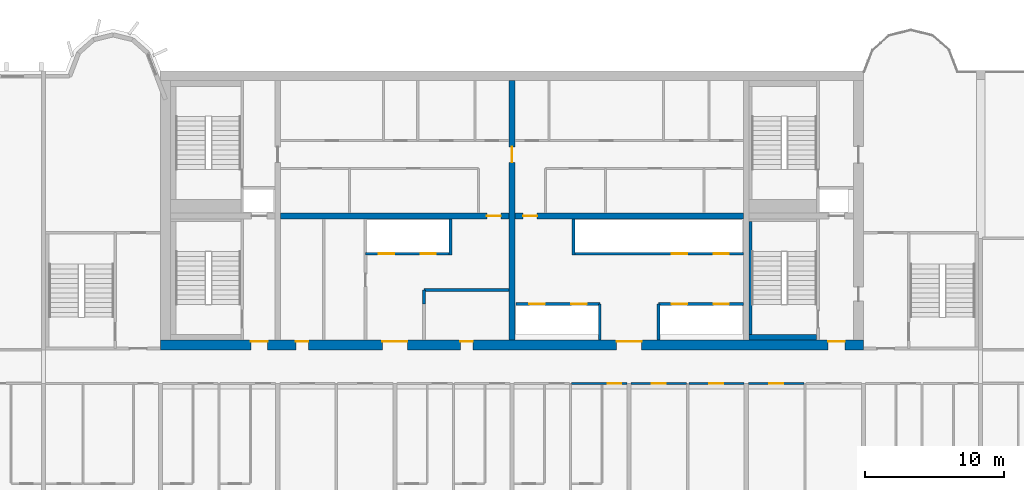
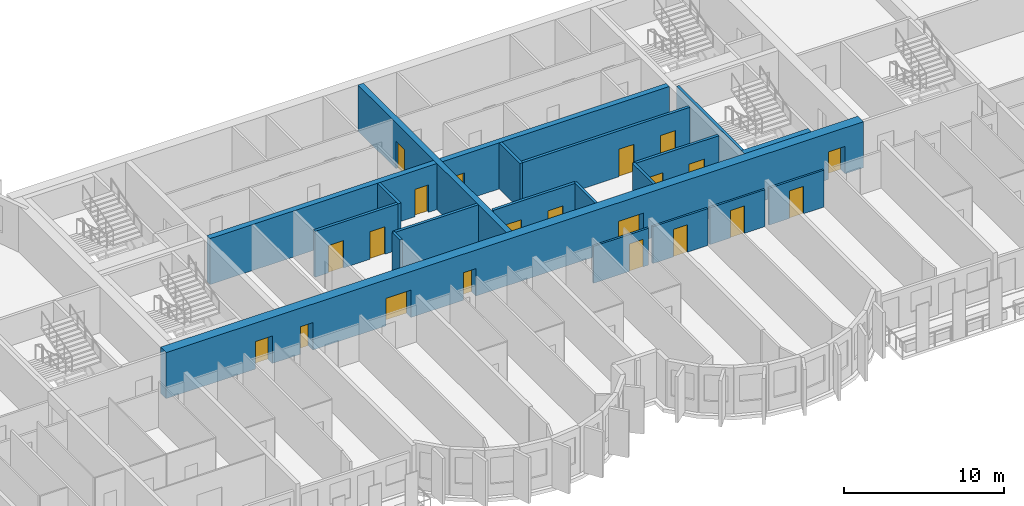
# One storey, part 6 of 13: 21 doors, 20 walls, 21 openings.
"""IFC4 building model written with IfcOpenShell, lengths in metres."""

from ifc_helpers import new_model, si_unit, direction, frame, frame_2d, origin, place, context, subcontext, project, spatial, rectangle, extrude, source, transform, mapped, material, layer, layer_set, type_object, element, fill, save


model = new_model("IFC4")

# Units and contexts
model_context = context("Model", 3, precision=1e-05, world=origin(), true_north=direction((0.0, 1.0)))
body_context = subcontext(model_context, "Body", "Model", "MODEL_VIEW")
ifc_project = project(units=[si_unit("LENGTHUNIT", "METRE"), si_unit("AREAUNIT", "SQUARE_METRE"), si_unit("VOLUMEUNIT", "CUBIC_METRE"), si_unit("PLANEANGLEUNIT", "RADIAN"), si_unit("MASSUNIT", "GRAM", prefix="KILO")], contexts=[model_context])

# Site, building, storey
site_placement = place(None, origin())
site = spatial("IfcSite", under=ifc_project, at=site_placement, CompositionType="ELEMENT")
building_placement = place(site_placement, origin())
building = spatial("IfcBuilding", under=site, at=building_placement, Name="Vanashikhar Sky Hotel", CompositionType="ELEMENT")
storey_placement = place(building_placement, frame((0.0, 0.0, 170.60009765625)))
storey = spatial("IfcBuildingStorey", under=building, at=storey_placement, Name="L41", CompositionType="ELEMENT", Elevation=170.60009765625)

# Wall, opening, door
ifc_material_1 = material(Name="Concrete M60", Category="concrete")
ifc_layer_1 = layer(ifc_material_1, 0.39990234375)
ifc_layer_set_1 = layer_set([ifc_layer_1], Name="RC core inner wall 400 Concrete M60")
wall_type_1 = type_object("IfcWallType", Name="RC core inner wall 400 Concrete M60", PredefinedType="SHEAR", material=ifc_layer_set_1)
shared_shape_1 = source(origin(), body_context, "Body", "SweptSolid", [
    extrude(rectangle(XDim=18.60009765625, YDim=0.39990234375, at=frame_2d((9.300048828125, 0.0))), origin(), (0.0, 0.0, 1.0), 3.52001953125),
])
wall_1_placement = place(storey_placement, frame((50.39990234375, 22.699951171875, 0.0), z_axis=(0.0, 0.0, 1.0), x_axis=(0.0, 1.0, 0.0)))
wall_1 = element("IfcWall", 1, at=wall_1_placement, inside=storey, type_object=wall_type_1, Name="KW-L41-KX2", PredefinedType="SHEAR", context=body_context, shape_type="MappedRepresentation", body=[
    mapped(shared_shape_1, transform((0.0, 0.0, 0.0), scale=1.0)),
])
shared_shape_2 = source(origin(), body_context, "Body", "SweptSolid", [
    extrude(rectangle(XDim=1.10009765625, YDim=2.10009765625, at=frame_2d((0.550048828125, 1.050048828125))), frame((0.0, 0.2099609375, 0.0), z_axis=(0.0, -1.0, 0.0), x_axis=(1.0, 0.0, 0.0)), (0.0, 0.0, 1.0), 0.419921875),
])
opening_1_placement = place(wall_1_placement, frame((12.75, 0.0, 0.0)))
opening_1 = element("IfcOpeningElement", 2, at=opening_1_placement, cuts=wall_1, Name="Opening DC-4-C", PredefinedType="OPENING", context=body_context, shape_type="MappedRepresentation", body=[
    mapped(shared_shape_2, transform((0.0, 0.0, 0.0), scale=1.0)),
])
ifc_material_2 = material(Name="Steel", Category="steel")
door_type_1 = type_object("IfcDoorType", Name="Service door 1100 FD60", OperationType="NOTDEFINED", PredefinedType="DOOR", material=ifc_material_2)
shared_shape_3 = source(origin(), body_context, "Body", "SweptSolid", [
    extrude(rectangle(XDim=1.10009765625, YDim=2.10009765625, at=frame_2d((0.550048828125, 1.050048828125))), frame((0.0, 0.02490234375, 0.0), z_axis=(0.0, -1.0, 0.0), x_axis=(1.0, 0.0, 0.0)), (0.0, 0.0, 1.0), 0.050048828125),
])
door_1_placement = place(opening_1_placement, origin())
door_1 = element("IfcDoor", 3, at=door_1_placement, inside=storey, type_object=door_type_1, Name="Service door 1100 FD60", OperationType="SINGLE_SWING_RIGHT", OverallHeight=2.10009765625, OverallWidth=1.10009765625, PredefinedType="DOOR", context=body_context, shape_type="MappedRepresentation", body=[
    mapped(shared_shape_3, transform((0.0, 0.0, 0.0), scale=1.0)),
])
fill(opening_1, door_1)

# Wall, openings, doors
ifc_layer_2 = layer(ifc_material_1, 0.699951171875)
ifc_layer_set_2 = layer_set([ifc_layer_2], Name="RC core shell wall 700 Concrete M60")
wall_type_2 = type_object("IfcWallType", Name="RC core shell wall 700 Concrete M60", PredefinedType="SHEAR", material=ifc_layer_set_2)
shared_shape_4 = source(origin(), body_context, "Body", "SweptSolid", [
    extrude(rectangle(XDim=50.400146484375, YDim=0.699951171875, at=frame_2d((25.2001953125, 0.0))), origin(), (0.0, 0.0, 1.0), 3.52001953125),
])
wall_2_placement = place(storey_placement, frame((25.199951171875, 22.35009765625, 0.0), z_axis=(0.0, 0.0, 1.0), x_axis=(1.0, 0.0, 0.0)))
wall_2 = element("IfcWall", 4, at=wall_2_placement, inside=storey, type_object=wall_type_2, Name="KW-L41-KS", PredefinedType="SHEAR", context=body_context, shape_type="MappedRepresentation", body=[
    mapped(shared_shape_4, transform((0.0, 0.0, 0.0), scale=1.0)),
])
shared_shape_5 = source(origin(), body_context, "Body", "SweptSolid", [
    extrude(rectangle(XDim=1.800048828125, YDim=2.10009765625, at=frame_2d((0.89990234375, 1.050048828125))), frame((0.0, 0.35986328125, 0.0), z_axis=(0.0, -1.0, 0.0), x_axis=(1.0, 0.0, 0.0)), (0.0, 0.0, 1.0), 0.719970703125),
])
opening_2_placement = place(wall_2_placement, frame((15.89990234375, 0.0, 0.0)))
opening_2 = element("IfcOpeningElement", 5, at=opening_2_placement, cuts=wall_2, Name="Opening DC-3-A", PredefinedType="OPENING", context=body_context, shape_type="MappedRepresentation", body=[
    mapped(shared_shape_5, transform((0.0, 0.0, 0.0), scale=1.0)),
])
shared_shape_6 = source(origin(), body_context, "Body", "SweptSolid", [
    extrude(rectangle(XDim=0.89990234375, YDim=2.10009765625, at=frame_2d((0.449951171875, 1.050048828125))), frame((0.0, 0.35986328125, 0.0), z_axis=(0.0, -1.0, 0.0), x_axis=(1.0, 0.0, 0.0)), (0.0, 0.0, 1.0), 0.719970703125),
])
opening_3_placement = place(wall_2_placement, frame((9.699951171875, 0.0, 0.0)))
opening_3 = element("IfcOpeningElement", 6, at=opening_3_placement, cuts=wall_2, Name="Opening DC-4-A", PredefinedType="OPENING", context=body_context, shape_type="MappedRepresentation", body=[
    mapped(shared_shape_6, transform((0.0, 0.0, 0.0), scale=1.0)),
])
opening_4_placement = place(wall_2_placement, frame((21.5, 0.0, 0.0)))
opening_4 = element("IfcOpeningElement", 7, at=opening_4_placement, cuts=wall_2, Name="Opening DC-4-A", PredefinedType="OPENING", context=body_context, shape_type="MappedRepresentation", body=[
    mapped(shared_shape_6, transform((0.0, 0.0, 0.0), scale=1.0)),
])
opening_5_placement = place(wall_2_placement, frame((32.699951171875, 0.0, 0.0)))
opening_5 = element("IfcOpeningElement", 8, at=opening_5_placement, cuts=wall_2, Name="Opening DC-3-A", PredefinedType="OPENING", context=body_context, shape_type="MappedRepresentation", body=[
    mapped(shared_shape_5, transform((0.0, 0.0, 0.0), scale=1.0)),
])
shared_shape_7 = source(origin(), body_context, "Body", "SweptSolid", [
    extrude(rectangle(XDim=1.199951171875, YDim=2.10009765625, at=frame_2d((0.60009765625, 1.050048828125))), frame((0.0, 0.35986328125, 0.0), z_axis=(0.0, -1.0, 0.0), x_axis=(1.0, 0.0, 0.0)), (0.0, 0.0, 1.0), 0.719970703125),
])
opening_6_placement = place(wall_2_placement, frame((6.47509765625, 0.0, 0.0)))
opening_6 = element("IfcOpeningElement", 9, at=opening_6_placement, cuts=wall_2, Name="Opening DC-2", PredefinedType="OPENING", context=body_context, shape_type="MappedRepresentation", body=[
    mapped(shared_shape_7, transform((0.0, 0.0, 0.0), scale=1.0)),
])
opening_7_placement = place(wall_2_placement, frame((47.875, 0.0, 0.0)))
opening_7 = element("IfcOpeningElement", 10, at=opening_7_placement, cuts=wall_2, Name="Opening DC-2", PredefinedType="OPENING", context=body_context, shape_type="MappedRepresentation", body=[
    mapped(shared_shape_7, transform((0.0, 0.0, 0.0), scale=1.0)),
])
ifc_material_3 = material(Name="Glass", Category="glass")
door_type_2 = type_object("IfcDoorType", Name="Lift lobby entrance door 1800 FD30S", OperationType="NOTDEFINED", PredefinedType="DOOR", material=ifc_material_3)
shared_shape_8 = source(origin(), body_context, "Body", "SweptSolid", [
    extrude(rectangle(XDim=1.800048828125, YDim=2.10009765625, at=frame_2d((0.89990234375, 1.050048828125))), frame((0.0, 0.27490234375, 0.0), z_axis=(0.0, -1.0, 0.0), x_axis=(1.0, 0.0, 0.0)), (0.0, 0.0, 1.0), 0.050048828125),
])
door_2_placement = place(opening_2_placement, origin())
door_2 = element("IfcDoor", 11, at=door_2_placement, inside=storey, type_object=door_type_2, Name="Lift lobby entrance door 1800 FD30S", OperationType="DOUBLE_DOOR_SINGLE_SWING", OverallHeight=2.10009765625, OverallWidth=1.800048828125, PredefinedType="DOOR", context=body_context, shape_type="MappedRepresentation", body=[
    mapped(shared_shape_8, transform((0.0, 0.0, 0.0), scale=1.0)),
])
fill(opening_2, door_2)
door_3_placement = place(opening_5_placement, origin())
door_3 = element("IfcDoor", 12, at=door_3_placement, inside=storey, type_object=door_type_2, Name="Lift lobby entrance door 1800 FD30S", OperationType="DOUBLE_DOOR_SINGLE_SWING", OverallHeight=2.10009765625, OverallWidth=1.800048828125, PredefinedType="DOOR", context=body_context, shape_type="MappedRepresentation", body=[
    mapped(shared_shape_8, transform((0.0, 0.0, 0.0), scale=1.0)),
])
fill(opening_5, door_3)
door_type_3 = type_object("IfcDoorType", Name="Firefighting lobby door 1200 FD120", OperationType="NOTDEFINED", PredefinedType="DOOR", material=ifc_material_2)
shared_shape_9 = source(origin(), body_context, "Body", "SweptSolid", [
    extrude(rectangle(XDim=1.199951171875, YDim=2.10009765625, at=frame_2d((0.60009765625, 1.050048828125))), frame((0.0, 0.27490234375, 0.0), z_axis=(0.0, -1.0, 0.0), x_axis=(1.0, 0.0, 0.0)), (0.0, 0.0, 1.0), 0.050048828125),
])
door_4_placement = place(opening_6_placement, origin())
door_4 = element("IfcDoor", 13, at=door_4_placement, inside=storey, type_object=door_type_3, Name="Firefighting lobby door 1200 FD120", OperationType="SINGLE_SWING_LEFT", OverallHeight=2.10009765625, OverallWidth=1.199951171875, PredefinedType="DOOR", context=body_context, shape_type="MappedRepresentation", body=[
    mapped(shared_shape_9, transform((0.0, 0.0, 0.0), scale=1.0)),
])
fill(opening_6, door_4)
door_5_placement = place(opening_7_placement, origin())
door_5 = element("IfcDoor", 14, at=door_5_placement, inside=storey, type_object=door_type_3, Name="Firefighting lobby door 1200 FD120", OperationType="SINGLE_SWING_LEFT", OverallHeight=2.10009765625, OverallWidth=1.199951171875, PredefinedType="DOOR", context=body_context, shape_type="MappedRepresentation", body=[
    mapped(shared_shape_9, transform((0.0, 0.0, 0.0), scale=1.0)),
])
fill(opening_7, door_5)
door_type_4 = type_object("IfcDoorType", Name="Service door 900 FD60", OperationType="NOTDEFINED", PredefinedType="DOOR", material=ifc_material_2)
shared_shape_10 = source(origin(), body_context, "Body", "SweptSolid", [
    extrude(rectangle(XDim=0.89990234375, YDim=2.10009765625, at=frame_2d((0.449951171875, 1.050048828125))), frame((0.0, 0.27490234375, 0.0), z_axis=(0.0, -1.0, 0.0), x_axis=(1.0, 0.0, 0.0)), (0.0, 0.0, 1.0), 0.050048828125),
])
door_6_placement = place(opening_3_placement, origin())
door_6 = element("IfcDoor", 15, at=door_6_placement, inside=storey, type_object=door_type_4, Name="Service door 900 FD60", OperationType="SINGLE_SWING_LEFT", OverallHeight=2.10009765625, OverallWidth=0.89990234375, PredefinedType="DOOR", context=body_context, shape_type="MappedRepresentation", body=[
    mapped(shared_shape_10, transform((0.0, 0.0, 0.0), scale=1.0)),
])
fill(opening_3, door_6)
door_7_placement = place(opening_4_placement, origin())
door_7 = element("IfcDoor", 16, at=door_7_placement, inside=storey, type_object=door_type_4, Name="Service door 900 FD60", OperationType="SINGLE_SWING_LEFT", OverallHeight=2.10009765625, OverallWidth=0.89990234375, PredefinedType="DOOR", context=body_context, shape_type="MappedRepresentation", body=[
    mapped(shared_shape_10, transform((0.0, 0.0, 0.0), scale=1.0)),
])
fill(opening_4, door_7)

# Wall, opening, door
shared_shape_11 = source(origin(), body_context, "Body", "SweptSolid", [
    extrude(rectangle(XDim=16.39990234375, YDim=0.39990234375, at=frame_2d((8.199951171875, 0.0))), origin(), (0.0, 0.0, 1.0), 3.52001953125),
])
wall_3_placement = place(storey_placement, frame((33.800048828125, 31.60009765625, 0.0), z_axis=(0.0, 0.0, 1.0), x_axis=(1.0, 0.0, 0.0)))
wall_3 = element("IfcWall", 17, at=wall_3_placement, inside=storey, type_object=wall_type_1, Name="KW-L41-KY2", PredefinedType="SHEAR", context=body_context, shape_type="MappedRepresentation", body=[
    mapped(shared_shape_11, transform((0.0, 0.0, 0.0), scale=1.0)),
])
shared_shape_12 = source(origin(), body_context, "Body", "SweptSolid", [
    extrude(rectangle(XDim=1.0, YDim=2.10009765625, at=frame_2d((0.5, 1.050048828125))), frame((0.0, 0.2099609375, 0.0), z_axis=(0.0, -1.0, 0.0), x_axis=(1.0, 0.0, 0.0)), (0.0, 0.0, 1.0), 0.419921875),
])
opening_8_placement = place(wall_3_placement, frame((14.800048828125, 0.0, 0.0)))
opening_8 = element("IfcOpeningElement", 18, at=opening_8_placement, cuts=wall_3, Name="Opening DC-4", PredefinedType="OPENING", context=body_context, shape_type="MappedRepresentation", body=[
    mapped(shared_shape_12, transform((0.0, 0.0, 0.0), scale=1.0)),
])
door_type_5 = type_object("IfcDoorType", Name="Service door 1000 FD60", OperationType="NOTDEFINED", PredefinedType="DOOR", material=ifc_material_2)
shared_shape_13 = source(origin(), body_context, "Body", "SweptSolid", [
    extrude(rectangle(XDim=1.0, YDim=2.10009765625, at=frame_2d((0.5, 1.050048828125))), frame((0.0, 0.02490234375, 0.0), z_axis=(0.0, -1.0, 0.0), x_axis=(1.0, 0.0, 0.0)), (0.0, 0.0, 1.0), 0.050048828125),
])
door_8_placement = place(opening_8_placement, origin())
door_8 = element("IfcDoor", 19, at=door_8_placement, inside=storey, type_object=door_type_5, Name="Service door 1000 FD60", OperationType="SINGLE_SWING_LEFT", OverallHeight=2.10009765625, OverallWidth=1.0, PredefinedType="DOOR", context=body_context, shape_type="MappedRepresentation", body=[
    mapped(shared_shape_13, transform((0.0, 0.0, 0.0), scale=1.0)),
])
fill(opening_8, door_8)

wall_4_placement = place(storey_placement, frame((50.60009765625, 31.60009765625, 0.0), z_axis=(0.0, 0.0, 1.0), x_axis=(1.0, 0.0, 0.0)))
wall_4 = element("IfcWall", 20, at=wall_4_placement, inside=storey, type_object=wall_type_1, Name="KW-L41-KY3", PredefinedType="SHEAR", context=body_context, shape_type="MappedRepresentation", body=[
    mapped(shared_shape_11, transform((0.0, 0.0, 0.0), scale=1.0)),
])
opening_9_placement = place(wall_4_placement, frame((0.60009765625, 0.0, 0.0)))
opening_9 = element("IfcOpeningElement", 21, at=opening_9_placement, cuts=wall_4, Name="Opening DC-4", PredefinedType="OPENING", context=body_context, shape_type="MappedRepresentation", body=[
    mapped(shared_shape_12, transform((0.0, 0.0, 0.0), scale=1.0)),
])
door_9_placement = place(opening_9_placement, origin())
door_9 = element("IfcDoor", 22, at=door_9_placement, inside=storey, type_object=door_type_5, Name="Service door 1000 FD60", OperationType="SINGLE_SWING_RIGHT", OverallHeight=2.10009765625, OverallWidth=1.0, PredefinedType="DOOR", context=body_context, shape_type="MappedRepresentation", body=[
    mapped(shared_shape_13, transform((0.0, 0.0, 0.0), scale=1.0)),
])
fill(opening_9, door_9)

# Wall, openings, doors
ifc_material_4 = material(Name="Concrete M40", Category="concrete")
ifc_layer_3 = layer(ifc_material_4, 0.199951171875)
ifc_layer_set_3 = layer_set([ifc_layer_3], Name="Shaft wall 200")
wall_type_3 = type_object("IfcWallType", Name="Shaft wall 200", PredefinedType="SOLIDWALL", material=ifc_layer_set_3)
shared_shape_14 = source(origin(), body_context, "Body", "SweptSolid", [
    extrude(rectangle(XDim=6.0, YDim=0.199951171875, at=frame_2d((3.0, 0.0))), origin(), (0.0, 0.0, 1.0), 3.52001953125),
])
wall_5_placement = place(storey_placement, frame((39.89990234375, 28.89990234375, 0.0), z_axis=(0.0, 0.0, 1.0), x_axis=(1.0, 0.0, 0.0)))
wall_5 = element("IfcWall", 23, at=wall_5_placement, inside=storey, type_object=wall_type_3, Name="Shaft wall 200", PredefinedType="SOLIDWALL", context=body_context, shape_type="MappedRepresentation", body=[
    mapped(shared_shape_14, transform((0.0, 0.0, 0.0), scale=1.0)),
])
shared_shape_15 = source(origin(), body_context, "Body", "SweptSolid", [
    extrude(rectangle(XDim=1.10009765625, YDim=2.10009765625, at=frame_2d((0.550048828125, 1.050048828125))), frame((0.0, 0.10986328125, 0.0), z_axis=(0.0, -1.0, 0.0), x_axis=(1.0, 0.0, 0.0)), (0.0, 0.0, 1.0), 0.219970703125),
])
opening_10_placement = place(wall_5_placement, frame((0.949951171875, 0.0, 0.0)))
opening_10 = element("IfcOpeningElement", 24, at=opening_10_placement, cuts=wall_5, Name="Opening LD", PredefinedType="OPENING", context=body_context, shape_type="MappedRepresentation", body=[
    mapped(shared_shape_15, transform((0.0, 0.0, 0.0), scale=1.0)),
])
opening_11_placement = place(wall_5_placement, frame((3.949951171875, 0.0, 0.0)))
opening_11 = element("IfcOpeningElement", 25, at=opening_11_placement, cuts=wall_5, Name="Opening LD", PredefinedType="OPENING", context=body_context, shape_type="MappedRepresentation", body=[
    mapped(shared_shape_15, transform((0.0, 0.0, 0.0), scale=1.0)),
])
ifc_material_5 = material(Name="Stainless steel", Category="steel")
door_type_6 = type_object("IfcDoorType", Name="Lift landing door 1100", OperationType="NOTDEFINED", PredefinedType="DOOR", material=ifc_material_5)
door_10_placement = place(opening_10_placement, origin())
door_10 = element("IfcDoor", 26, at=door_10_placement, inside=storey, type_object=door_type_6, Name="Lift landing door 1100", OperationType="SLIDING_TO_LEFT", OverallHeight=2.10009765625, OverallWidth=1.10009765625, PredefinedType="DOOR", context=body_context, shape_type="MappedRepresentation", body=[
    mapped(shared_shape_3, transform((0.0, 0.0, 0.0), scale=1.0)),
])
fill(opening_10, door_10)
door_11_placement = place(opening_11_placement, origin())
door_11 = element("IfcDoor", 27, at=door_11_placement, inside=storey, type_object=door_type_6, Name="Lift landing door 1100", OperationType="SLIDING_TO_RIGHT", OverallHeight=2.10009765625, OverallWidth=1.10009765625, PredefinedType="DOOR", context=body_context, shape_type="MappedRepresentation", body=[
    mapped(shared_shape_3, transform((0.0, 0.0, 0.0), scale=1.0)),
])
fill(opening_11, door_11)

wall_6_placement = place(storey_placement, frame((56.699951171875, 25.300048828125, 0.0), z_axis=(0.0, 0.0, 1.0), x_axis=(-1.0, 0.0, 0.0)))
wall_6 = element("IfcWall", 28, at=wall_6_placement, inside=storey, type_object=wall_type_3, Name="Shaft wall 200", PredefinedType="SOLIDWALL", context=body_context, shape_type="MappedRepresentation", body=[
    mapped(shared_shape_14, transform((0.0, 0.0, 0.0), scale=1.0)),
])
opening_12_placement = place(wall_6_placement, frame((0.949951171875, 0.0, 0.0)))
opening_12 = element("IfcOpeningElement", 29, at=opening_12_placement, cuts=wall_6, Name="Opening LD", PredefinedType="OPENING", context=body_context, shape_type="MappedRepresentation", body=[
    mapped(shared_shape_15, transform((0.0, 0.0, 0.0), scale=1.0)),
])
opening_13_placement = place(wall_6_placement, frame((3.949951171875, 0.0, 0.0)))
opening_13 = element("IfcOpeningElement", 30, at=opening_13_placement, cuts=wall_6, Name="Opening LD", PredefinedType="OPENING", context=body_context, shape_type="MappedRepresentation", body=[
    mapped(shared_shape_15, transform((0.0, 0.0, 0.0), scale=1.0)),
])
door_12_placement = place(opening_12_placement, origin())
door_12 = element("IfcDoor", 31, at=door_12_placement, inside=storey, type_object=door_type_6, Name="Lift landing door 1100", OperationType="SLIDING_TO_RIGHT", OverallHeight=2.10009765625, OverallWidth=1.10009765625, PredefinedType="DOOR", context=body_context, shape_type="MappedRepresentation", body=[
    mapped(shared_shape_3, transform((0.0, 0.0, 0.0), scale=1.0)),
])
fill(opening_12, door_12)
door_13_placement = place(opening_13_placement, origin())
door_13 = element("IfcDoor", 32, at=door_13_placement, inside=storey, type_object=door_type_6, Name="Lift landing door 1100", OperationType="SLIDING_TO_LEFT", OverallHeight=2.10009765625, OverallWidth=1.10009765625, PredefinedType="DOOR", context=body_context, shape_type="MappedRepresentation", body=[
    mapped(shared_shape_3, transform((0.0, 0.0, 0.0), scale=1.0)),
])
fill(opening_13, door_13)

# Walls
ifc_material_6 = material(Name="Concrete M50", Category="concrete")
ifc_layer_4 = layer(ifc_material_6, 0.199951171875)
ifc_layer_set_4 = layer_set([ifc_layer_4], Name="Stair infill wall 200")
wall_type_4 = type_object("IfcWallType", Name="Stair infill wall 200", PredefinedType="SOLIDWALL", material=ifc_layer_set_4)
shared_shape_16 = source(origin(), body_context, "Body", "SweptSolid", [
    extrude(rectangle(XDim=8.099853515625, YDim=0.199951171875, at=frame_2d((4.0498046875, 0.0))), origin(), (0.0, 0.0, 1.0), 3.52001953125),
])
wall_7_placement = place(storey_placement, frame((67.5, 23.10009765625, 0.0), z_axis=(0.0, 0.0, 1.0), x_axis=(0.0, 1.0, 0.0)))
element("IfcWall", 33, at=wall_7_placement, inside=storey, type_object=wall_type_4, Name="Stair infill wall 200", PredefinedType="SOLIDWALL", context=body_context, shape_type="MappedRepresentation", body=[
    mapped(shared_shape_16, transform((0.0, 0.0, 0.0), scale=1.0)),
])
shared_shape_17 = source(origin(), body_context, "Body", "SweptSolid", [
    extrude(rectangle(XDim=2.60009765625, YDim=0.199951171875, at=frame_2d((1.300048828125, 0.0))), origin(), (0.0, 0.0, 1.0), 3.52001953125),
])
for number, where, z_axis, x_axis, name in (
    (34, (60.89990234375, 22.699951171875, 0.0), (0.0, 0.0, 1.0), (0.0, 1.0, 0.0), "Shaft wall 200"),
    (35, (56.699951171875, 22.699951171875, 0.0), (0.0, 0.0, 1.0), (0.0, 1.0, 0.0), "Shaft wall 200"),
):
    element("IfcWall", number, at=place(storey_placement, frame(where, z_axis=z_axis, x_axis=x_axis)), inside=storey, type_object=wall_type_3, Name=name, PredefinedType="SOLIDWALL", context=body_context, shape_type="MappedRepresentation", body=[
        mapped(shared_shape_17, transform((0.0, 0.0, 0.0), scale=1.0)),
    ])
shared_shape_18 = source(origin(), body_context, "Body", "SweptSolid", [
    extrude(rectangle(XDim=2.599853515625, YDim=0.199951171875, at=frame_2d((1.2998046875, 0.0))), origin(), (0.0, 0.0, 1.0), 3.52001953125),
])
for number, where, z_axis, x_axis, name in (
    (36, (46.0, 28.800048828125, 0.0), (0.0, 0.0, 1.0), (0.0, 1.0, 0.0), "Shaft wall 200"),
    (37, (54.800048828125, 28.800048828125, 0.0), (0.0, 0.0, 1.0), (0.0, 1.0, 0.0), "Shaft wall 200"),
):
    element("IfcWall", number, at=place(storey_placement, frame(where, z_axis=z_axis, x_axis=x_axis)), inside=storey, type_object=wall_type_3, Name=name, PredefinedType="SOLIDWALL", context=body_context, shape_type="MappedRepresentation", body=[
        mapped(shared_shape_18, transform((0.0, 0.0, 0.0), scale=1.0)),
    ])
ifc_material_7 = material(Name="Gypsum board partition")
ifc_layer_5 = layer(ifc_material_7, 0.14990234375)
ifc_layer_set_5 = layer_set([ifc_layer_5], Name="Service partition 150")
wall_type_5 = type_object("IfcWallType", Name="Service partition 150", PredefinedType="PARTITIONING", material=ifc_layer_set_5)
shared_shape_19 = source(origin(), body_context, "Body", "SweptSolid", [
    extrude(rectangle(XDim=6.099853515625, YDim=0.199951171875, at=frame_2d((3.0498046875, 0.0))), origin(), (0.0, 0.0, 1.0), 3.52001953125),
])
wall_8_placement = place(storey_placement, frame((44.10009765625, 26.300048828125, 0.0), z_axis=(0.0, 0.0, 1.0), x_axis=(1.0, 0.0, 0.0)))
element("IfcWall", 38, at=wall_8_placement, inside=storey, type_object=wall_type_5, Name="Service partition 150", PredefinedType="PARTITIONING", context=body_context, shape_type="MappedRepresentation", body=[
    mapped(shared_shape_19, transform((0.0, 0.0, 0.0), scale=1.0)),
])
shared_shape_20 = source(origin(), body_context, "Body", "SweptSolid", [
    extrude(rectangle(XDim=1.0, YDim=0.199951171875, at=frame_2d((0.5, 0.0))), origin(), (0.0, 0.0, 1.0), 3.52001953125),
])
wall_9_placement = place(storey_placement, frame((44.10009765625, 25.300048828125, 0.0), z_axis=(0.0, 0.0, 1.0), x_axis=(0.0, 1.0, 0.0)))
element("IfcWall", 39, at=wall_9_placement, inside=storey, type_object=wall_type_5, Name="Service partition 150", PredefinedType="PARTITIONING", context=body_context, shape_type="MappedRepresentation", body=[
    mapped(shared_shape_20, transform((0.0, 0.0, 0.0), scale=1.0)),
])

# Wall, openings, doors
shared_shape_21 = source(origin(), body_context, "Body", "SweptSolid", [
    extrude(rectangle(XDim=6.10009765625, YDim=0.199951171875, at=frame_2d((3.050048828125, 0.0))), origin(), (0.0, 0.0, 1.0), 3.52001953125),
])
wall_10_placement = place(storey_placement, frame((67.0, 25.300048828125, 0.0), z_axis=(0.0, 0.0, 1.0), x_axis=(-1.0, 0.0, 0.0)))
wall_10 = element("IfcWall", 40, at=wall_10_placement, inside=storey, type_object=wall_type_3, Name="Shaft wall 200", PredefinedType="SOLIDWALL", context=body_context, shape_type="MappedRepresentation", body=[
    mapped(shared_shape_21, transform((0.0, 0.0, 0.0), scale=1.0)),
])
opening_14_placement = place(wall_10_placement, frame((1.050048828125, 0.0, 0.0)))
opening_14 = element("IfcOpeningElement", 41, at=opening_14_placement, cuts=wall_10, Name="Opening LD", PredefinedType="OPENING", context=body_context, shape_type="MappedRepresentation", body=[
    mapped(shared_shape_15, transform((0.0, 0.0, 0.0), scale=1.0)),
])
opening_15_placement = place(wall_10_placement, frame((4.050048828125, 0.0, 0.0)))
opening_15 = element("IfcOpeningElement", 42, at=opening_15_placement, cuts=wall_10, Name="Opening LD", PredefinedType="OPENING", context=body_context, shape_type="MappedRepresentation", body=[
    mapped(shared_shape_15, transform((0.0, 0.0, 0.0), scale=1.0)),
])
door_14_placement = place(opening_14_placement, origin())
door_14 = element("IfcDoor", 43, at=door_14_placement, inside=storey, type_object=door_type_6, Name="Lift landing door 1100", OperationType="SLIDING_TO_RIGHT", OverallHeight=2.10009765625, OverallWidth=1.10009765625, PredefinedType="DOOR", context=body_context, shape_type="MappedRepresentation", body=[
    mapped(shared_shape_3, transform((0.0, 0.0, 0.0), scale=1.0)),
])
fill(opening_14, door_14)
door_15_placement = place(opening_15_placement, origin())
door_15 = element("IfcDoor", 44, at=door_15_placement, inside=storey, type_object=door_type_6, Name="Lift landing door 1100", OperationType="SLIDING_TO_LEFT", OverallHeight=2.10009765625, OverallWidth=1.10009765625, PredefinedType="DOOR", context=body_context, shape_type="MappedRepresentation", body=[
    mapped(shared_shape_3, transform((0.0, 0.0, 0.0), scale=1.0)),
])
fill(opening_15, door_15)

shared_shape_22 = source(origin(), body_context, "Body", "SweptSolid", [
    extrude(rectangle(XDim=12.10009765625, YDim=0.199951171875, at=frame_2d((6.050048828125, 0.0))), origin(), (0.0, 0.0, 1.0), 3.52001953125),
])
wall_11_placement = place(storey_placement, frame((67.0, 28.89990234375, 0.0), z_axis=(0.0, 0.0, 1.0), x_axis=(-1.0, 0.0, 0.0)))
wall_11 = element("IfcWall", 45, at=wall_11_placement, inside=storey, type_object=wall_type_3, Name="Shaft wall 200", PredefinedType="SOLIDWALL", context=body_context, shape_type="MappedRepresentation", body=[
    mapped(shared_shape_22, transform((0.0, 0.0, 0.0), scale=1.0)),
])
opening_16_placement = place(wall_11_placement, frame((1.050048828125, 0.0, 0.0)))
opening_16 = element("IfcOpeningElement", 46, at=opening_16_placement, cuts=wall_11, Name="Opening LD", PredefinedType="OPENING", context=body_context, shape_type="MappedRepresentation", body=[
    mapped(shared_shape_15, transform((0.0, 0.0, 0.0), scale=1.0)),
])
opening_17_placement = place(wall_11_placement, frame((4.050048828125, 0.0, 0.0)))
opening_17 = element("IfcOpeningElement", 47, at=opening_17_placement, cuts=wall_11, Name="Opening LD", PredefinedType="OPENING", context=body_context, shape_type="MappedRepresentation", body=[
    mapped(shared_shape_15, transform((0.0, 0.0, 0.0), scale=1.0)),
])
door_16_placement = place(opening_16_placement, origin())
door_16 = element("IfcDoor", 48, at=door_16_placement, inside=storey, type_object=door_type_6, Name="Lift landing door 1100", OperationType="SLIDING_TO_RIGHT", OverallHeight=2.10009765625, OverallWidth=1.10009765625, PredefinedType="DOOR", context=body_context, shape_type="MappedRepresentation", body=[
    mapped(shared_shape_3, transform((0.0, 0.0, 0.0), scale=1.0)),
])
fill(opening_16, door_16)
door_17_placement = place(opening_17_placement, origin())
door_17 = element("IfcDoor", 49, at=door_17_placement, inside=storey, type_object=door_type_6, Name="Lift landing door 1100", OperationType="SLIDING_TO_LEFT", OverallHeight=2.10009765625, OverallWidth=1.10009765625, PredefinedType="DOOR", context=body_context, shape_type="MappedRepresentation", body=[
    mapped(shared_shape_3, transform((0.0, 0.0, 0.0), scale=1.0)),
])
fill(opening_17, door_17)

# Wall
ifc_layer_6 = layer(ifc_material_6, 0.39990234375)
ifc_layer_set_6 = layer_set([ifc_layer_6], Name="Stair infill wall 400")
wall_type_6 = type_object("IfcWallType", Name="Stair infill wall 400", PredefinedType="SOLIDWALL", material=ifc_layer_set_6)
shared_shape_23 = source(origin(), body_context, "Body", "SweptSolid", [
    extrude(rectangle(XDim=4.85009765625, YDim=0.39990234375, at=frame_2d((2.425048828125, 0.0))), origin(), (0.0, 0.0, 1.0), 3.52001953125),
])
wall_12_placement = place(storey_placement, frame((67.39990234375, 22.89990234375, 0.0), z_axis=(0.0, 0.0, 1.0), x_axis=(1.0, 0.0, 0.0)))
element("IfcWall", 50, at=wall_12_placement, inside=storey, type_object=wall_type_6, Name="Stair infill wall 400", PredefinedType="SOLIDWALL", context=body_context, shape_type="MappedRepresentation", body=[
    mapped(shared_shape_23, transform((0.0, 0.0, 0.0), scale=1.0)),
])

# Wall, opening, door
ifc_material_8 = material(Name="Gypsum plasterboard partition")
ifc_layer_7 = layer(ifc_material_8, 0.14990234375)
ifc_layer_set_7 = layer_set([ifc_layer_7], Name="Corridor and demising partition 150")
wall_type_7 = type_object("IfcWallType", Name="Corridor and demising partition 150", PredefinedType="PARTITIONING", material=ifc_layer_set_7)
shared_shape_24 = source(origin(), body_context, "Body", "SweptSolid", [
    extrude(rectangle(XDim=3.974853515625, YDim=0.14990234375, at=frame_2d((1.9873046875, 0.0))), origin(), (0.0, 0.0, 1.0), 2.81982421875),
])
wall_13_placement = place(storey_placement, frame((54.675048828125, 19.60009765625, 0.0), z_axis=(0.0, 0.0, 1.0), x_axis=(1.0, 0.0, 0.0)))
wall_13 = element("IfcWall", 51, at=wall_13_placement, inside=storey, type_object=wall_type_7, Name="W-L41-PW036", PredefinedType="PARTITIONING", context=body_context, shape_type="MappedRepresentation", body=[
    mapped(shared_shape_24, transform((0.0, 0.0, 0.0), scale=1.0)),
])
shared_shape_25 = source(origin(), body_context, "Body", "SweptSolid", [
    extrude(rectangle(XDim=1.0, YDim=2.10009765625, at=frame_2d((0.5, 1.050048828125))), frame((0.0, 0.0849609375, 0.0), z_axis=(0.0, -1.0, 0.0), x_axis=(1.0, 0.0, 0.0)), (0.0, 0.0, 1.0), 0.169921875),
])
opening_18_placement = place(wall_13_placement, frame((2.574951171875, 0.0, 0.0)))
opening_18 = element("IfcOpeningElement", 52, at=opening_18_placement, cuts=wall_13, Name="Opening D-01", PredefinedType="OPENING", context=body_context, shape_type="MappedRepresentation", body=[
    mapped(shared_shape_25, transform((0.0, 0.0, 0.0), scale=1.0)),
])
ifc_material_9 = material(Name="Timber fire door", Category="wood")
door_type_7 = type_object("IfcDoorType", Name="Guest entry door 1000 FD30S", OperationType="NOTDEFINED", PredefinedType="DOOR", material=ifc_material_9)
door_18_placement = place(opening_18_placement, origin())
door_18 = element("IfcDoor", 53, at=door_18_placement, inside=storey, type_object=door_type_7, Name="D-L41-022", OperationType="SINGLE_SWING_RIGHT", OverallHeight=2.10009765625, OverallWidth=1.0, PredefinedType="DOOR", context=body_context, shape_type="MappedRepresentation", body=[
    mapped(shared_shape_13, transform((0.0, 0.0, 0.0), scale=1.0)),
])
fill(opening_18, door_18)

wall_14_placement = place(storey_placement, frame((67.35009765625, 19.60009765625, 0.0), z_axis=(0.0, 0.0, 1.0), x_axis=(1.0, 0.0, 0.0)))
wall_14 = element("IfcWall", 54, at=wall_14_placement, inside=storey, type_object=wall_type_7, Name="W-L41-PW041", PredefinedType="PARTITIONING", context=body_context, shape_type="MappedRepresentation", body=[
    mapped(shared_shape_24, transform((0.0, 0.0, 0.0), scale=1.0)),
])
opening_19_placement = place(wall_14_placement, frame((1.488037109375, 0.0, 0.0)))
opening_19 = element("IfcOpeningElement", 55, at=opening_19_placement, cuts=wall_14, Name="Opening D-01", PredefinedType="OPENING", context=body_context, shape_type="MappedRepresentation", body=[
    mapped(shared_shape_25, transform((0.0, 0.0, 0.0), scale=1.0)),
])
door_19_placement = place(opening_19_placement, origin())
door_19 = element("IfcDoor", 56, at=door_19_placement, inside=storey, type_object=door_type_7, Name="D-L41-025", OperationType="SINGLE_SWING_LEFT", OverallHeight=2.10009765625, OverallWidth=1.0, PredefinedType="DOOR", context=body_context, shape_type="MappedRepresentation", body=[
    mapped(shared_shape_13, transform((0.0, 0.0, 0.0), scale=1.0)),
])
fill(opening_19, door_19)

shared_shape_26 = source(origin(), body_context, "Body", "SweptSolid", [
    extrude(rectangle(XDim=3.97509765625, YDim=0.14990234375, at=frame_2d((1.987548828125, 0.0))), origin(), (0.0, 0.0, 1.0), 2.81982421875),
])
wall_15_placement = place(storey_placement, frame((58.949951171875, 19.60009765625, 0.0), z_axis=(0.0, 0.0, 1.0), x_axis=(1.0, 0.0, 0.0)))
wall_15 = element("IfcWall", 57, at=wall_15_placement, inside=storey, type_object=wall_type_7, Name="W-L41-PW038", PredefinedType="PARTITIONING", context=body_context, shape_type="MappedRepresentation", body=[
    mapped(shared_shape_26, transform((0.0, 0.0, 0.0), scale=1.0)),
])
opening_20_placement = place(wall_15_placement, frame((1.487060546875, 0.0, 0.0)))
opening_20 = element("IfcOpeningElement", 58, at=opening_20_placement, cuts=wall_15, Name="Opening D-01", PredefinedType="OPENING", context=body_context, shape_type="MappedRepresentation", body=[
    mapped(shared_shape_25, transform((0.0, 0.0, 0.0), scale=1.0)),
])
door_20_placement = place(opening_20_placement, origin())
door_20 = element("IfcDoor", 59, at=door_20_placement, inside=storey, type_object=door_type_7, Name="D-L41-023", OperationType="SINGLE_SWING_LEFT", OverallHeight=2.10009765625, OverallWidth=1.0, PredefinedType="DOOR", context=body_context, shape_type="MappedRepresentation", body=[
    mapped(shared_shape_13, transform((0.0, 0.0, 0.0), scale=1.0)),
])
fill(opening_20, door_20)

wall_16_placement = place(storey_placement, frame((63.074951171875, 19.60009765625, 0.0), z_axis=(0.0, 0.0, 1.0), x_axis=(1.0, 0.0, 0.0)))
wall_16 = element("IfcWall", 60, at=wall_16_placement, inside=storey, type_object=wall_type_7, Name="W-L41-PW039", PredefinedType="PARTITIONING", context=body_context, shape_type="MappedRepresentation", body=[
    mapped(shared_shape_26, transform((0.0, 0.0, 0.0), scale=1.0)),
])
opening_21_placement = place(wall_16_placement, frame((1.487060546875, 0.0, 0.0)))
opening_21 = element("IfcOpeningElement", 61, at=opening_21_placement, cuts=wall_16, Name="Opening D-01", PredefinedType="OPENING", context=body_context, shape_type="MappedRepresentation", body=[
    mapped(shared_shape_25, transform((0.0, 0.0, 0.0), scale=1.0)),
])
door_21_placement = place(opening_21_placement, origin())
door_21 = element("IfcDoor", 62, at=door_21_placement, inside=storey, type_object=door_type_7, Name="D-L41-024", OperationType="SINGLE_SWING_RIGHT", OverallHeight=2.10009765625, OverallWidth=1.0, PredefinedType="DOOR", context=body_context, shape_type="MappedRepresentation", body=[
    mapped(shared_shape_13, transform((0.0, 0.0, 0.0), scale=1.0)),
])
fill(opening_21, door_21)

save(model, "model.ifc")
